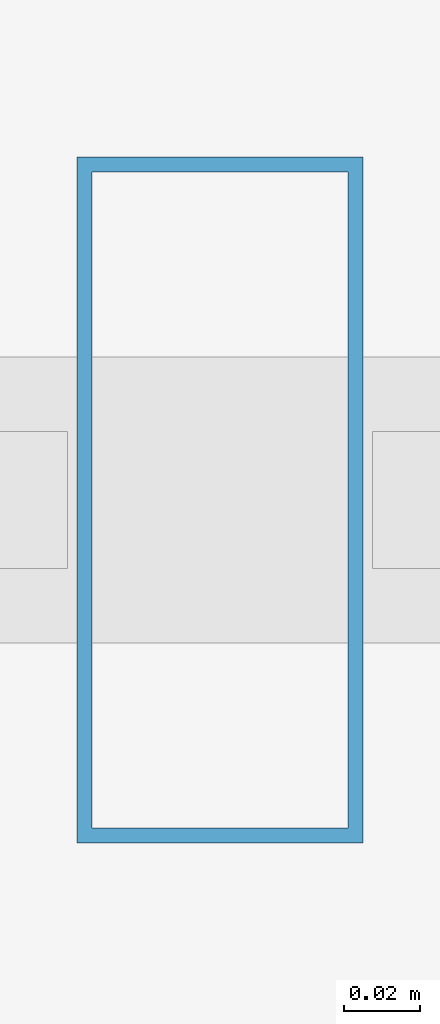
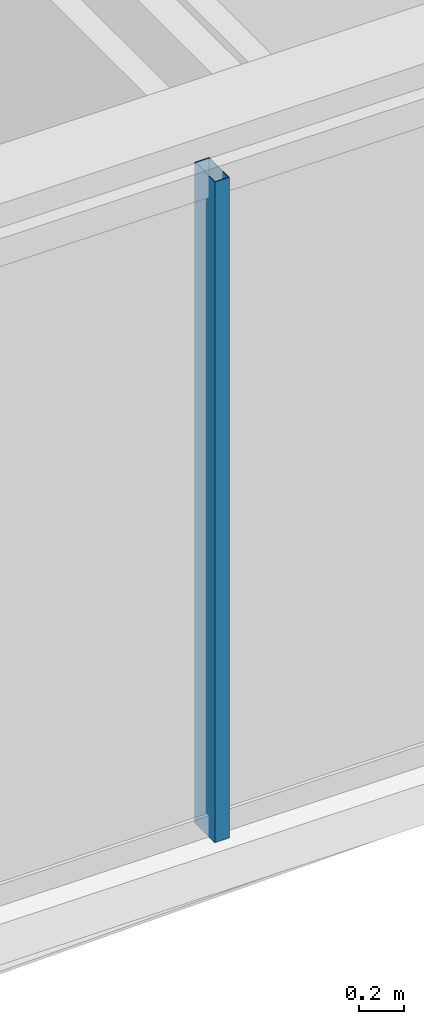
# One storey, part 9 of 33: 1 member, 1 element without a shape of its own.
"""IFC4 building model written with IfcOpenShell, lengths in metres."""

from ifc_helpers import new_model, si_unit, direction, frame, origin, origin_2d, place, context, subcontext, project, spatial, hollow_rectangle, extrude, material, layer, layer_set, material_profile, profile_set, type_object, element, aggregate, save


model = new_model("IFC4")

# Units and contexts
model_context = context("Model", 3, precision=1e-05, world=origin(), true_north=direction((0.0, 1.0)))
body_context = subcontext(model_context, "Body", "Model", "MODEL_VIEW")
ifc_project = project(units=[si_unit("LENGTHUNIT", "METRE"), si_unit("AREAUNIT", "SQUARE_METRE"), si_unit("VOLUMEUNIT", "CUBIC_METRE"), si_unit("PLANEANGLEUNIT", "RADIAN"), si_unit("MASSUNIT", "GRAM", prefix="KILO")], contexts=[model_context])

# Site, building, storey
site_placement = place(None, origin())
site = spatial("IfcSite", under=ifc_project, at=site_placement, CompositionType="ELEMENT")
building_placement = place(site_placement, origin())
building = spatial("IfcBuilding", under=site, at=building_placement, Name="Ndaravel Arena Tower", CompositionType="ELEMENT")
storey_placement = place(building_placement, frame((0.0, 0.0, 161.199951171875)))
storey = spatial("IfcBuildingStorey", under=building, at=storey_placement, Name="L38", CompositionType="ELEMENT", Elevation=161.199951171875)

# Curtain wall, member
ifc_material_1 = material(Name="Aluminium", Category="aluminium")
ifc_layer = layer(ifc_material_1, 0.179931640625)
ifc_layer_set = layer_set([ifc_layer], Name="Aluminium")
curtain_wall_type = type_object("IfcCurtainWallType", Name="CW-SYS-03", PredefinedType="NOTDEFINED", material=ifc_layer_set)
curtain_wall_placement = place(storey_placement, origin())
curtain_wall = element("IfcCurtainWall", 1, at=curtain_wall_placement, inside=storey, type_object=curtain_wall_type, Name="L38 Faceted Crystal Curtain Wall CW-L38-E01", PredefinedType="NOTDEFINED")
ifc_material_2 = material(Name="Aluminium", Category="aluminium")
ifc_material_profile = material_profile(ifc_material_2, hollow_rectangle(XDim=0.074951171875, YDim=0.179931640625, WallThickness=0.00390625, at=origin_2d()), Name="CW MULLION 75x180x4")
ifc_profile_set = profile_set([ifc_material_profile], Name="Aluminium")
member_type = type_object("IfcMemberType", Name="MEM-CW-MUL180", PredefinedType="MULLION", material=ifc_profile_set)
member_placement = place(storey_placement, frame((46.59765625, 5.159912109375, 0.0), z_axis=(0.0, 0.0, 1.0), x_axis=(1.0, 0.0, 0.0)))
member = element("IfcMember", 2, at=member_placement, type_object=member_type, Name="CW-L38-E01 Mullion 05", PredefinedType="MULLION", context=body_context, shape_type="SweptSolid", body=[
    extrude(hollow_rectangle(XDim=0.074951171875, YDim=0.179931640625, WallThickness=0.00390625, at=origin_2d()), origin(), (0.0, 0.0, 1.0), 3.580078125),
])
aggregate(curtain_wall, [member])

save(model, "model.ifc")
